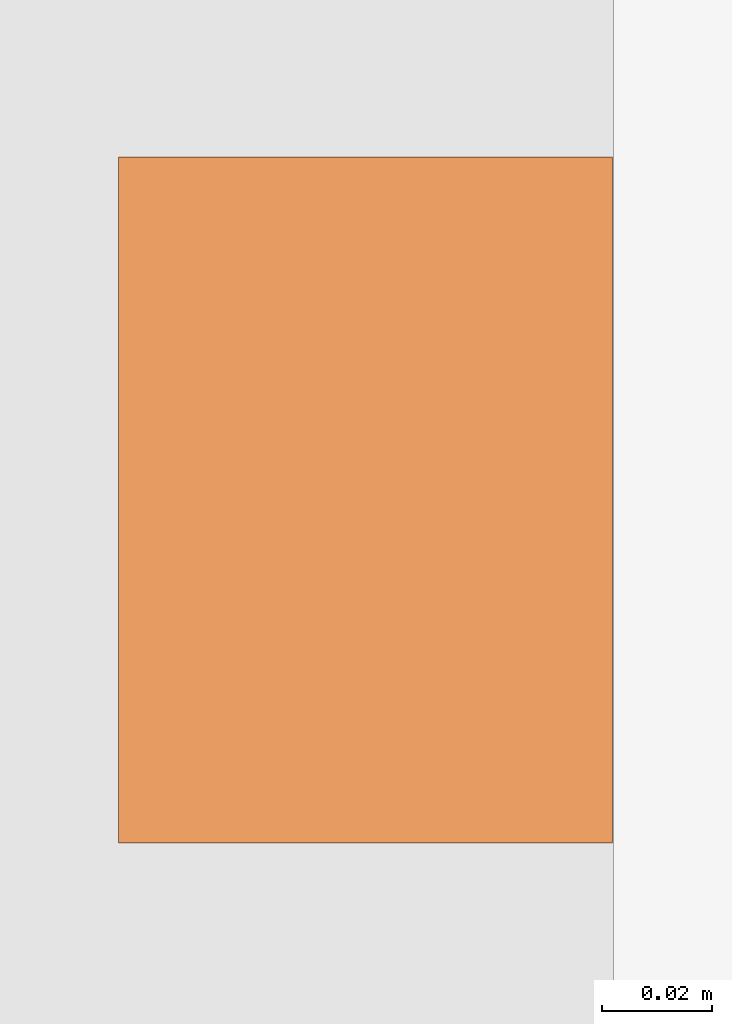
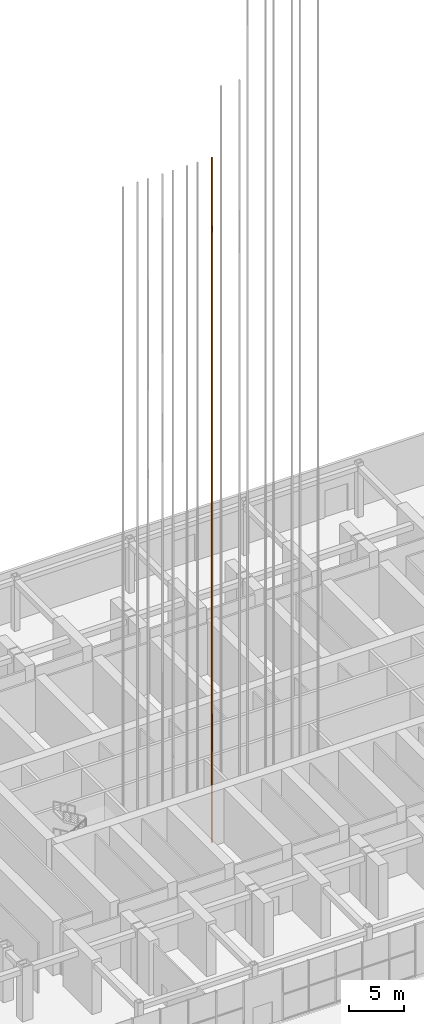
# One storey, part 49 of 57: 1 proxy.
"""IFC4 building model written with IfcOpenShell, lengths in metres."""

from ifc_helpers import new_model, si_unit, direction, frame, origin, origin_2d, place, context, subcontext, project, spatial, rectangle, extrude, material, element, save


model = new_model("IFC4")

# Units and contexts
model_context = context("Model", 3, precision=1e-05, world=origin(), true_north=direction((0.0, 1.0)))
body_context = subcontext(model_context, "Body", "Model", "MODEL_VIEW")
ifc_project = project(units=[si_unit("LENGTHUNIT", "METRE"), si_unit("AREAUNIT", "SQUARE_METRE"), si_unit("VOLUMEUNIT", "CUBIC_METRE"), si_unit("PLANEANGLEUNIT", "RADIAN"), si_unit("MASSUNIT", "GRAM", prefix="KILO")], contexts=[model_context])

# Site, building, storey
site_placement = place(None, origin())
site = spatial("IfcSite", under=ifc_project, at=site_placement, CompositionType="ELEMENT")
building_placement = place(site_placement, origin())
building = spatial("IfcBuilding", under=site, at=building_placement, Name="Orbita Commons", CompositionType="ELEMENT")
storey_placement = place(building_placement, origin())
storey = spatial("IfcBuildingStorey", under=building, at=storey_placement, Name="L00", CompositionType="ELEMENT", Elevation=0.0)

# Proxy
ifc_material = material(Name="Machined steel guide rail", Category="steel")
placement = place(storey_placement, frame((35.10009765625, 28.10009765625, 0.0), z_axis=(0.0, 0.0, 1.0), x_axis=(1.0, 0.0, 0.0)))
proxy_placement = place(placement, frame((0.7548828125, 0.0, -1.800048828125)))
element("IfcBuildingElementProxy", 1, at=proxy_placement, inside=storey, material=ifc_material, Name="P14 guide rail 2", ObjectType="GUIDE RAIL", PredefinedType="USERDEFINED", context=body_context, shape_type="SweptSolid", body=[
    extrude(rectangle(XDim=0.09, YDim=0.125, at=origin_2d()), origin(), (0.0, 0.0, 1.0), 75.85009765625),
])

save(model, "model.ifc")
